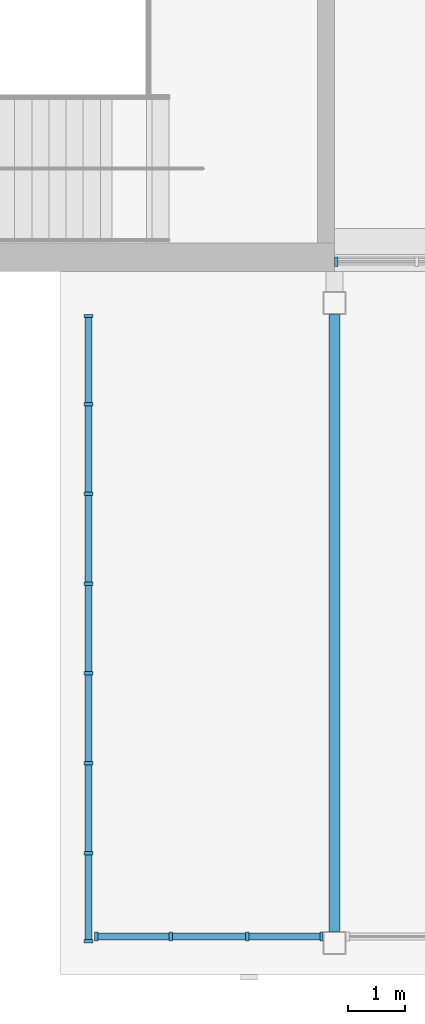
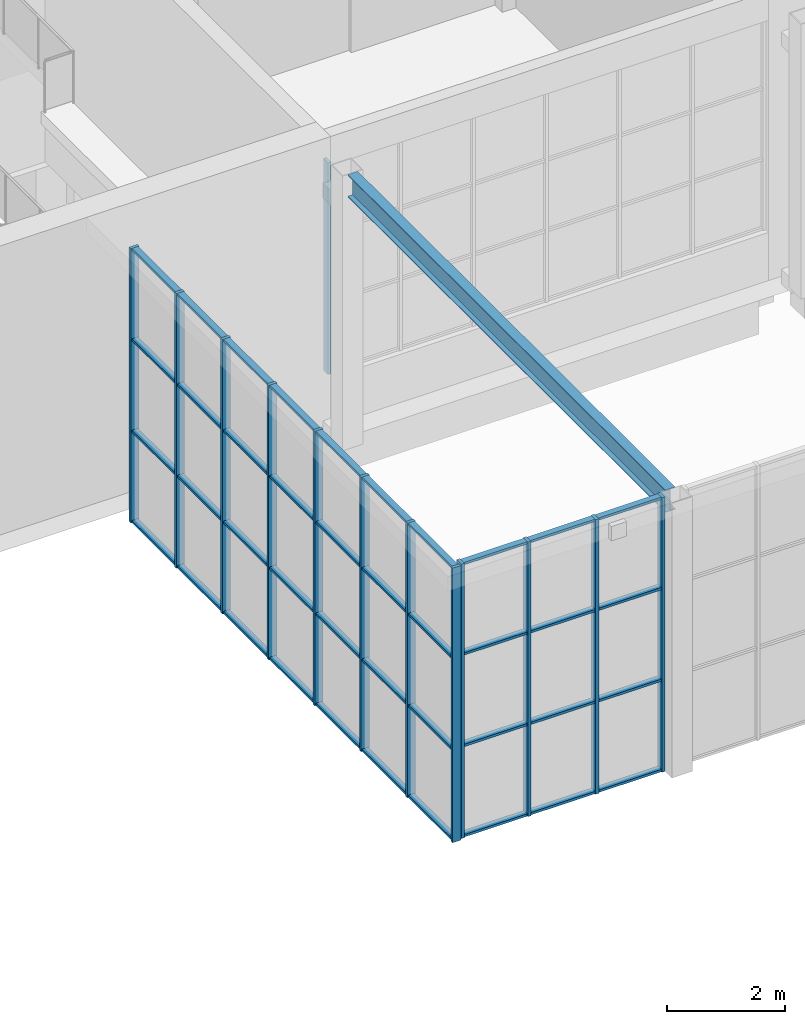
# One storey, part 7 of 89: 53 members, 1 beam, 3 elements without a shape of their own.
"""IFC4 building model written with IfcOpenShell, lengths in metres."""

from ifc_helpers import new_model, si_unit, direction, frame, origin, origin_2d, place, context, subcontext, project, spatial, rectangle, i_section, extrude, material, material_profile, profile_set, type_object, element, aggregate, save


model = new_model("IFC4")

# Units and contexts
model_context = context("Model", 3, precision=1e-05, world=origin(), true_north=direction((0.0, 1.0)))
body_context = subcontext(model_context, "Body", "Model", "MODEL_VIEW")
ifc_project = project(units=[si_unit("LENGTHUNIT", "METRE"), si_unit("AREAUNIT", "SQUARE_METRE"), si_unit("VOLUMEUNIT", "CUBIC_METRE"), si_unit("PLANEANGLEUNIT", "RADIAN"), si_unit("MASSUNIT", "GRAM", prefix="KILO")], contexts=[model_context])

# Site, building, storey
site_placement = place(None, origin())
site = spatial("IfcSite", under=ifc_project, at=site_placement, CompositionType="ELEMENT")
building_placement = place(site_placement, origin())
building = spatial("IfcBuilding", under=site, at=building_placement, Name="Silverbay Arena", CompositionType="ELEMENT")
storey_placement = place(building_placement, frame((0.0, 0.0, 22.0)))
storey = spatial("IfcBuildingStorey", under=building, at=storey_placement, Name="L03", CompositionType="ELEMENT", Elevation=22.0)

# Beam
ifc_material_1 = material(Name="Steel S355", Category="steel")
ifc_material_profile_1 = material_profile(ifc_material_1, i_section(OverallWidth=0.19287109375, OverallDepth=0.46728515625, WebThickness=0.011474609375, FlangeThickness=0.01953125, at=origin_2d()), Name="UB 457x191x98")
ifc_profile_set_1 = profile_set([ifc_material_profile_1], Name="Steel S355")
beam_type = type_object("IfcBeamType", Name="Hall beam UB 457x191x98", PredefinedType="BEAM", material=ifc_profile_set_1)
beam_placement = place(storey_placement, frame((117.0, 16.75, 5.46630859375), z_axis=(0.0, -1.0, 0.0), x_axis=(1.0, 0.0, 0.0)))
element("IfcBeam", 1, at=beam_placement, inside=storey, type_object=beam_type, Name="South entrance hall S1 transverse beam 1R", PredefinedType="BEAM", context=body_context, shape_type="SweptSolid", body=[
    extrude(i_section(OverallWidth=0.19287109375, OverallDepth=0.46728515625, WebThickness=0.011474609375, FlangeThickness=0.01953125, at=origin_2d()), origin(), (0.0, 0.0, 1.0), 10.800048828125),
])

# Curtain wall, member
ifc_material_2 = material(Name="Aluminium framed curtain wall", Category="aluminium")
curtain_wall_type_1 = type_object("IfcCurtainWallType", Name="Curtain wall 8600 x 4400", PredefinedType="NOTDEFINED", material=ifc_material_2)
curtain_wall_1_placement = place(storey_placement, origin())
curtain_wall_1 = element("IfcCurtainWall", 2, at=curtain_wall_1_placement, inside=storey, type_object=curtain_wall_type_1, Name="South curtain wall L03 bay 8", PredefinedType="NOTDEFINED")
ifc_material_3 = material(Name="Aluminium", Category="aluminium")
ifc_material_profile_2 = material_profile(ifc_material_3, rectangle(XDim=0.159912109375, YDim=0.06005859375, at=origin_2d()), Name="Mullion 60 x 160")
ifc_profile_set_2 = profile_set([ifc_material_profile_2], Name="Aluminium")
member_type_1 = type_object("IfcMemberType", Name="Mullion 60 x 160", PredefinedType="MULLION", material=ifc_profile_set_2)
member_1_placement = place(storey_placement, frame((117.030029296875, 17.669921875, 1.0), z_axis=(0.0, 0.0, 1.0), x_axis=(0.0, 1.0, 0.0)))
member_1 = element("IfcMember", 3, at=member_1_placement, type_object=member_type_1, Name="CW12 mullion 1", PredefinedType="MULLION", context=body_context, shape_type="SweptSolid", body=[
    extrude(rectangle(XDim=0.159912109375, YDim=0.06005859375, at=origin_2d()), origin(), (0.0, 0.0, 1.0), 4.39990234375),
])
aggregate(curtain_wall_1, [member_1])

# Curtain wall, members
ifc_material_4 = material(Name="Aluminium framed curtain wall", Category="aluminium")
curtain_wall_type_2 = type_object("IfcCurtainWallType", Name="Curtain wall 4000 x 5700", PredefinedType="NOTDEFINED", material=ifc_material_4)
curtain_wall_2_placement = place(storey_placement, origin())
curtain_wall_2 = element("IfcCurtainWall", 4, at=curtain_wall_2_placement, inside=storey, type_object=curtain_wall_type_2, Name="South entrance hall S1 glazing F-a", PredefinedType="NOTDEFINED")
member_2_placement = place(storey_placement, frame((112.830078125, 5.860107421875, 0.0), z_axis=(0.0, 0.0, 1.0), x_axis=(0.0, 1.0, 0.0)))
member_2 = element("IfcMember", 5, at=member_2_placement, type_object=member_type_1, Name="CW35 mullion 1", PredefinedType="MULLION", context=body_context, shape_type="SweptSolid", body=[
    extrude(rectangle(XDim=0.159912109375, YDim=0.06005859375, at=origin_2d()), origin(), (0.0, 0.0, 1.0), 5.699951171875),
])
member_3_placement = place(storey_placement, frame((114.13330078125, 5.860107421875, 0.0), z_axis=(0.0, 0.0, 1.0), x_axis=(0.0, 1.0, 0.0)))
member_3 = element("IfcMember", 6, at=member_3_placement, type_object=member_type_1, Name="CW35 mullion 2", PredefinedType="MULLION", context=body_context, shape_type="SweptSolid", body=[
    extrude(rectangle(XDim=0.159912109375, YDim=0.06005859375, at=origin_2d()), origin(), (0.0, 0.0, 1.0), 5.699951171875),
])
member_4_placement = place(storey_placement, frame((115.466552734375, 5.860107421875, 0.0), z_axis=(0.0, 0.0, 1.0), x_axis=(0.0, 1.0, 0.0)))
member_4 = element("IfcMember", 7, at=member_4_placement, type_object=member_type_1, Name="CW35 mullion 3", PredefinedType="MULLION", context=body_context, shape_type="SweptSolid", body=[
    extrude(rectangle(XDim=0.159912109375, YDim=0.06005859375, at=origin_2d()), origin(), (0.0, 0.0, 1.0), 5.699951171875),
])
member_5_placement = place(storey_placement, frame((116.77001953125, 5.860107421875, 0.0), z_axis=(0.0, 0.0, 1.0), x_axis=(0.0, 1.0, 0.0)))
member_5 = element("IfcMember", 8, at=member_5_placement, type_object=member_type_1, Name="CW35 mullion 4", PredefinedType="MULLION", context=body_context, shape_type="SweptSolid", body=[
    extrude(rectangle(XDim=0.159912109375, YDim=0.06005859375, at=origin_2d()), origin(), (0.0, 0.0, 1.0), 5.699951171875),
])

ifc_material_5 = material(Name="Aluminium framed curtain wall", Category="aluminium")
curtain_wall_type_3 = type_object("IfcCurtainWallType", Name="Curtain wall 11000 x 5700", PredefinedType="NOTDEFINED", material=ifc_material_5)
curtain_wall_3_placement = place(storey_placement, origin())
curtain_wall_3 = element("IfcCurtainWall", 9, at=curtain_wall_3_placement, inside=storey, type_object=curtain_wall_type_3, Name="South entrance hall S1 glazing SA", PredefinedType="NOTDEFINED")
member_6_placement = place(storey_placement, frame((112.68994140625, 5.780029296875, 0.0), z_axis=(0.0, 0.0, 1.0), x_axis=(-1.0, 0.0, 0.0)))
member_6 = element("IfcMember", 10, at=member_6_placement, type_object=member_type_1, Name="CW38 mullion 1", PredefinedType="MULLION", context=body_context, shape_type="SweptSolid", body=[
    extrude(rectangle(XDim=0.159912109375, YDim=0.06005859375, at=origin_2d()), origin(), (0.0, 0.0, 1.0), 5.699951171875),
])
member_7_placement = place(storey_placement, frame((112.68994140625, 7.321533203125, 0.0), z_axis=(0.0, 0.0, 1.0), x_axis=(-1.0, 0.0, 0.0)))
member_7 = element("IfcMember", 11, at=member_7_placement, type_object=member_type_1, Name="CW38 mullion 2", PredefinedType="MULLION", context=body_context, shape_type="SweptSolid", body=[
    extrude(rectangle(XDim=0.159912109375, YDim=0.06005859375, at=origin_2d()), origin(), (0.0, 0.0, 1.0), 5.699951171875),
])
member_8_placement = place(storey_placement, frame((112.68994140625, 8.892822265625, 0.0), z_axis=(0.0, 0.0, 1.0), x_axis=(-1.0, 0.0, 0.0)))
member_8 = element("IfcMember", 12, at=member_8_placement, type_object=member_type_1, Name="CW38 mullion 3", PredefinedType="MULLION", context=body_context, shape_type="SweptSolid", body=[
    extrude(rectangle(XDim=0.159912109375, YDim=0.06005859375, at=origin_2d()), origin(), (0.0, 0.0, 1.0), 5.699951171875),
])
member_9_placement = place(storey_placement, frame((112.68994140625, 10.46435546875, 0.0), z_axis=(0.0, 0.0, 1.0), x_axis=(-1.0, 0.0, 0.0)))
member_9 = element("IfcMember", 13, at=member_9_placement, type_object=member_type_1, Name="CW38 mullion 4", PredefinedType="MULLION", context=body_context, shape_type="SweptSolid", body=[
    extrude(rectangle(XDim=0.159912109375, YDim=0.06005859375, at=origin_2d()), origin(), (0.0, 0.0, 1.0), 5.699951171875),
])
member_10_placement = place(storey_placement, frame((112.68994140625, 12.03564453125, 0.0), z_axis=(0.0, 0.0, 1.0), x_axis=(-1.0, 0.0, 0.0)))
member_10 = element("IfcMember", 14, at=member_10_placement, type_object=member_type_1, Name="CW38 mullion 5", PredefinedType="MULLION", context=body_context, shape_type="SweptSolid", body=[
    extrude(rectangle(XDim=0.159912109375, YDim=0.06005859375, at=origin_2d()), origin(), (0.0, 0.0, 1.0), 5.699951171875),
])
member_11_placement = place(storey_placement, frame((112.68994140625, 13.607177734375, 0.0), z_axis=(0.0, 0.0, 1.0), x_axis=(-1.0, 0.0, 0.0)))
member_11 = element("IfcMember", 15, at=member_11_placement, type_object=member_type_1, Name="CW38 mullion 6", PredefinedType="MULLION", context=body_context, shape_type="SweptSolid", body=[
    extrude(rectangle(XDim=0.159912109375, YDim=0.06005859375, at=origin_2d()), origin(), (0.0, 0.0, 1.0), 5.699951171875),
])
member_12_placement = place(storey_placement, frame((112.68994140625, 15.178466796875, 0.0), z_axis=(0.0, 0.0, 1.0), x_axis=(-1.0, 0.0, 0.0)))
member_12 = element("IfcMember", 16, at=member_12_placement, type_object=member_type_1, Name="CW38 mullion 7", PredefinedType="MULLION", context=body_context, shape_type="SweptSolid", body=[
    extrude(rectangle(XDim=0.159912109375, YDim=0.06005859375, at=origin_2d()), origin(), (0.0, 0.0, 1.0), 5.699951171875),
])
member_13_placement = place(storey_placement, frame((112.68994140625, 16.719970703125, 0.0), z_axis=(0.0, 0.0, 1.0), x_axis=(-1.0, 0.0, 0.0)))
member_13 = element("IfcMember", 17, at=member_13_placement, type_object=member_type_1, Name="CW38 mullion 8", PredefinedType="MULLION", context=body_context, shape_type="SweptSolid", body=[
    extrude(rectangle(XDim=0.159912109375, YDim=0.06005859375, at=origin_2d()), origin(), (0.0, 0.0, 1.0), 5.699951171875),
])

# Member
ifc_material_6 = material(Name="Aluminium", Category="aluminium")
ifc_material_profile_3 = material_profile(ifc_material_6, rectangle(XDim=0.1201171875, YDim=0.050048828125, at=origin_2d()), Name="Transom 50 x 120")
ifc_profile_set_3 = profile_set([ifc_material_profile_3], Name="Aluminium")
member_type_2 = type_object("IfcMemberType", Name="Transom 50 x 120", PredefinedType="USERDEFINED", material=ifc_profile_set_3)
member_14_placement = place(storey_placement, frame((112.860107421875, 5.860107421875, 0.02490234375), z_axis=(1.0, 0.0, 0.0), x_axis=(0.0, 1.0, 0.0)))
member_14 = element("IfcMember", 18, at=member_14_placement, type_object=member_type_2, Name="CW35 transom 1.1", ObjectType="TRANSOM", PredefinedType="USERDEFINED", context=body_context, shape_type="SweptSolid", body=[
    extrude(rectangle(XDim=0.1201171875, YDim=0.050048828125, at=origin_2d()), origin(), (0.0, 0.0, 1.0), 1.2431640625),
])

member_15_placement = place(storey_placement, frame((112.860107421875, 5.860107421875, 1.89990234375), z_axis=(1.0, 0.0, 0.0), x_axis=(0.0, 1.0, 0.0)))
member_15 = element("IfcMember", 19, at=member_15_placement, type_object=member_type_2, Name="CW35 transom 1.2", ObjectType="TRANSOM", PredefinedType="USERDEFINED", context=body_context, shape_type="SweptSolid", body=[
    extrude(rectangle(XDim=0.1201171875, YDim=0.050048828125, at=origin_2d()), origin(), (0.0, 0.0, 1.0), 1.2431640625),
])

member_16_placement = place(storey_placement, frame((112.860107421875, 5.860107421875, 3.800048828125), z_axis=(1.0, 0.0, 0.0), x_axis=(0.0, 1.0, 0.0)))
member_16 = element("IfcMember", 20, at=member_16_placement, type_object=member_type_2, Name="CW35 transom 1.3", ObjectType="TRANSOM", PredefinedType="USERDEFINED", context=body_context, shape_type="SweptSolid", body=[
    extrude(rectangle(XDim=0.1201171875, YDim=0.050048828125, at=origin_2d()), origin(), (0.0, 0.0, 1.0), 1.2431640625),
])

member_17_placement = place(storey_placement, frame((112.860107421875, 5.860107421875, 5.675048828125), z_axis=(1.0, 0.0, 0.0), x_axis=(0.0, 1.0, 0.0)))
member_17 = element("IfcMember", 21, at=member_17_placement, type_object=member_type_2, Name="CW35 transom 1.4", ObjectType="TRANSOM", PredefinedType="USERDEFINED", context=body_context, shape_type="SweptSolid", body=[
    extrude(rectangle(XDim=0.1201171875, YDim=0.050048828125, at=origin_2d()), origin(), (0.0, 0.0, 1.0), 1.2431640625),
])

member_18_placement = place(storey_placement, frame((114.163330078125, 5.860107421875, 0.02490234375), z_axis=(1.0, 0.0, 0.0), x_axis=(0.0, 1.0, 0.0)))
member_18 = element("IfcMember", 22, at=member_18_placement, type_object=member_type_2, Name="CW35 transom 2.1", ObjectType="TRANSOM", PredefinedType="USERDEFINED", context=body_context, shape_type="SweptSolid", body=[
    extrude(rectangle(XDim=0.1201171875, YDim=0.050048828125, at=origin_2d()), origin(), (0.0, 0.0, 1.0), 1.2734375),
])

member_19_placement = place(storey_placement, frame((114.163330078125, 5.860107421875, 1.89990234375), z_axis=(1.0, 0.0, 0.0), x_axis=(0.0, 1.0, 0.0)))
member_19 = element("IfcMember", 23, at=member_19_placement, type_object=member_type_2, Name="CW35 transom 2.2", ObjectType="TRANSOM", PredefinedType="USERDEFINED", context=body_context, shape_type="SweptSolid", body=[
    extrude(rectangle(XDim=0.1201171875, YDim=0.050048828125, at=origin_2d()), origin(), (0.0, 0.0, 1.0), 1.2734375),
])

member_20_placement = place(storey_placement, frame((114.163330078125, 5.860107421875, 3.800048828125), z_axis=(1.0, 0.0, 0.0), x_axis=(0.0, 1.0, 0.0)))
member_20 = element("IfcMember", 24, at=member_20_placement, type_object=member_type_2, Name="CW35 transom 2.3", ObjectType="TRANSOM", PredefinedType="USERDEFINED", context=body_context, shape_type="SweptSolid", body=[
    extrude(rectangle(XDim=0.1201171875, YDim=0.050048828125, at=origin_2d()), origin(), (0.0, 0.0, 1.0), 1.2734375),
])

member_21_placement = place(storey_placement, frame((114.163330078125, 5.860107421875, 5.675048828125), z_axis=(1.0, 0.0, 0.0), x_axis=(0.0, 1.0, 0.0)))
member_21 = element("IfcMember", 25, at=member_21_placement, type_object=member_type_2, Name="CW35 transom 2.4", ObjectType="TRANSOM", PredefinedType="USERDEFINED", context=body_context, shape_type="SweptSolid", body=[
    extrude(rectangle(XDim=0.1201171875, YDim=0.050048828125, at=origin_2d()), origin(), (0.0, 0.0, 1.0), 1.2734375),
])

member_22_placement = place(storey_placement, frame((115.49658203125, 5.860107421875, 0.02490234375), z_axis=(1.0, 0.0, 0.0), x_axis=(0.0, 1.0, 0.0)))
member_22 = element("IfcMember", 26, at=member_22_placement, type_object=member_type_2, Name="CW35 transom 3.1", ObjectType="TRANSOM", PredefinedType="USERDEFINED", context=body_context, shape_type="SweptSolid", body=[
    extrude(rectangle(XDim=0.1201171875, YDim=0.050048828125, at=origin_2d()), origin(), (0.0, 0.0, 1.0), 1.243408203125),
])

member_23_placement = place(storey_placement, frame((115.49658203125, 5.860107421875, 1.89990234375), z_axis=(1.0, 0.0, 0.0), x_axis=(0.0, 1.0, 0.0)))
member_23 = element("IfcMember", 27, at=member_23_placement, type_object=member_type_2, Name="CW35 transom 3.2", ObjectType="TRANSOM", PredefinedType="USERDEFINED", context=body_context, shape_type="SweptSolid", body=[
    extrude(rectangle(XDim=0.1201171875, YDim=0.050048828125, at=origin_2d()), origin(), (0.0, 0.0, 1.0), 1.243408203125),
])

member_24_placement = place(storey_placement, frame((115.49658203125, 5.860107421875, 3.800048828125), z_axis=(1.0, 0.0, 0.0), x_axis=(0.0, 1.0, 0.0)))
member_24 = element("IfcMember", 28, at=member_24_placement, type_object=member_type_2, Name="CW35 transom 3.3", ObjectType="TRANSOM", PredefinedType="USERDEFINED", context=body_context, shape_type="SweptSolid", body=[
    extrude(rectangle(XDim=0.1201171875, YDim=0.050048828125, at=origin_2d()), origin(), (0.0, 0.0, 1.0), 1.243408203125),
])

member_25_placement = place(storey_placement, frame((115.49658203125, 5.860107421875, 5.675048828125), z_axis=(1.0, 0.0, 0.0), x_axis=(0.0, 1.0, 0.0)))
member_25 = element("IfcMember", 29, at=member_25_placement, type_object=member_type_2, Name="CW35 transom 3.4", ObjectType="TRANSOM", PredefinedType="USERDEFINED", context=body_context, shape_type="SweptSolid", body=[
    extrude(rectangle(XDim=0.1201171875, YDim=0.050048828125, at=origin_2d()), origin(), (0.0, 0.0, 1.0), 1.243408203125),
])

aggregate(curtain_wall_2, [member_2, member_3, member_4, member_5, member_14, member_15, member_16, member_17, member_18, member_19, member_20, member_21, member_22, member_23, member_24, member_25])

member_26_placement = place(storey_placement, frame((112.68994140625, 5.81005859375, 0.02490234375), z_axis=(0.0, 1.0, 0.0), x_axis=(-1.0, 0.0, 0.0)))
member_26 = element("IfcMember", 30, at=member_26_placement, type_object=member_type_2, Name="CW38 transom 1.1", ObjectType="TRANSOM", PredefinedType="USERDEFINED", context=body_context, shape_type="SweptSolid", body=[
    extrude(rectangle(XDim=0.1201171875, YDim=0.050048828125, at=origin_2d()), origin(), (0.0, 0.0, 1.0), 1.4814453125),
])

member_27_placement = place(storey_placement, frame((112.68994140625, 5.81005859375, 1.89990234375), z_axis=(0.0, 1.0, 0.0), x_axis=(-1.0, 0.0, 0.0)))
member_27 = element("IfcMember", 31, at=member_27_placement, type_object=member_type_2, Name="CW38 transom 1.2", ObjectType="TRANSOM", PredefinedType="USERDEFINED", context=body_context, shape_type="SweptSolid", body=[
    extrude(rectangle(XDim=0.1201171875, YDim=0.050048828125, at=origin_2d()), origin(), (0.0, 0.0, 1.0), 1.4814453125),
])

member_28_placement = place(storey_placement, frame((112.68994140625, 5.81005859375, 3.800048828125), z_axis=(0.0, 1.0, 0.0), x_axis=(-1.0, 0.0, 0.0)))
member_28 = element("IfcMember", 32, at=member_28_placement, type_object=member_type_2, Name="CW38 transom 1.3", ObjectType="TRANSOM", PredefinedType="USERDEFINED", context=body_context, shape_type="SweptSolid", body=[
    extrude(rectangle(XDim=0.1201171875, YDim=0.050048828125, at=origin_2d()), origin(), (0.0, 0.0, 1.0), 1.4814453125),
])

member_29_placement = place(storey_placement, frame((112.68994140625, 5.81005859375, 5.675048828125), z_axis=(0.0, 1.0, 0.0), x_axis=(-1.0, 0.0, 0.0)))
member_29 = element("IfcMember", 33, at=member_29_placement, type_object=member_type_2, Name="CW38 transom 1.4", ObjectType="TRANSOM", PredefinedType="USERDEFINED", context=body_context, shape_type="SweptSolid", body=[
    extrude(rectangle(XDim=0.1201171875, YDim=0.050048828125, at=origin_2d()), origin(), (0.0, 0.0, 1.0), 1.4814453125),
])

member_30_placement = place(storey_placement, frame((112.68994140625, 7.351318359375, 0.02490234375), z_axis=(0.0, 1.0, 0.0), x_axis=(-1.0, 0.0, 0.0)))
member_30 = element("IfcMember", 34, at=member_30_placement, type_object=member_type_2, Name="CW38 transom 2.1", ObjectType="TRANSOM", PredefinedType="USERDEFINED", context=body_context, shape_type="SweptSolid", body=[
    extrude(rectangle(XDim=0.1201171875, YDim=0.050048828125, at=origin_2d()), origin(), (0.0, 0.0, 1.0), 1.511474609375),
])

member_31_placement = place(storey_placement, frame((112.68994140625, 7.351318359375, 1.89990234375), z_axis=(0.0, 1.0, 0.0), x_axis=(-1.0, 0.0, 0.0)))
member_31 = element("IfcMember", 35, at=member_31_placement, type_object=member_type_2, Name="CW38 transom 2.2", ObjectType="TRANSOM", PredefinedType="USERDEFINED", context=body_context, shape_type="SweptSolid", body=[
    extrude(rectangle(XDim=0.1201171875, YDim=0.050048828125, at=origin_2d()), origin(), (0.0, 0.0, 1.0), 1.511474609375),
])

member_32_placement = place(storey_placement, frame((112.68994140625, 7.351318359375, 3.800048828125), z_axis=(0.0, 1.0, 0.0), x_axis=(-1.0, 0.0, 0.0)))
member_32 = element("IfcMember", 36, at=member_32_placement, type_object=member_type_2, Name="CW38 transom 2.3", ObjectType="TRANSOM", PredefinedType="USERDEFINED", context=body_context, shape_type="SweptSolid", body=[
    extrude(rectangle(XDim=0.1201171875, YDim=0.050048828125, at=origin_2d()), origin(), (0.0, 0.0, 1.0), 1.511474609375),
])

member_33_placement = place(storey_placement, frame((112.68994140625, 7.351318359375, 5.675048828125), z_axis=(0.0, 1.0, 0.0), x_axis=(-1.0, 0.0, 0.0)))
member_33 = element("IfcMember", 37, at=member_33_placement, type_object=member_type_2, Name="CW38 transom 2.4", ObjectType="TRANSOM", PredefinedType="USERDEFINED", context=body_context, shape_type="SweptSolid", body=[
    extrude(rectangle(XDim=0.1201171875, YDim=0.050048828125, at=origin_2d()), origin(), (0.0, 0.0, 1.0), 1.511474609375),
])

member_34_placement = place(storey_placement, frame((112.68994140625, 8.9228515625, 0.02490234375), z_axis=(0.0, 1.0, 0.0), x_axis=(-1.0, 0.0, 0.0)))
member_34 = element("IfcMember", 38, at=member_34_placement, type_object=member_type_2, Name="CW38 transom 3.1", ObjectType="TRANSOM", PredefinedType="USERDEFINED", context=body_context, shape_type="SweptSolid", body=[
    extrude(rectangle(XDim=0.1201171875, YDim=0.050048828125, at=origin_2d()), origin(), (0.0, 0.0, 1.0), 1.511474609375),
])

member_35_placement = place(storey_placement, frame((112.68994140625, 8.9228515625, 1.89990234375), z_axis=(0.0, 1.0, 0.0), x_axis=(-1.0, 0.0, 0.0)))
member_35 = element("IfcMember", 39, at=member_35_placement, type_object=member_type_2, Name="CW38 transom 3.2", ObjectType="TRANSOM", PredefinedType="USERDEFINED", context=body_context, shape_type="SweptSolid", body=[
    extrude(rectangle(XDim=0.1201171875, YDim=0.050048828125, at=origin_2d()), origin(), (0.0, 0.0, 1.0), 1.511474609375),
])

member_36_placement = place(storey_placement, frame((112.68994140625, 8.9228515625, 3.800048828125), z_axis=(0.0, 1.0, 0.0), x_axis=(-1.0, 0.0, 0.0)))
member_36 = element("IfcMember", 40, at=member_36_placement, type_object=member_type_2, Name="CW38 transom 3.3", ObjectType="TRANSOM", PredefinedType="USERDEFINED", context=body_context, shape_type="SweptSolid", body=[
    extrude(rectangle(XDim=0.1201171875, YDim=0.050048828125, at=origin_2d()), origin(), (0.0, 0.0, 1.0), 1.511474609375),
])

member_37_placement = place(storey_placement, frame((112.68994140625, 8.9228515625, 5.675048828125), z_axis=(0.0, 1.0, 0.0), x_axis=(-1.0, 0.0, 0.0)))
member_37 = element("IfcMember", 41, at=member_37_placement, type_object=member_type_2, Name="CW38 transom 3.4", ObjectType="TRANSOM", PredefinedType="USERDEFINED", context=body_context, shape_type="SweptSolid", body=[
    extrude(rectangle(XDim=0.1201171875, YDim=0.050048828125, at=origin_2d()), origin(), (0.0, 0.0, 1.0), 1.511474609375),
])

member_38_placement = place(storey_placement, frame((112.68994140625, 10.494384765625, 0.02490234375), z_axis=(0.0, 1.0, 0.0), x_axis=(-1.0, 0.0, 0.0)))
member_38 = element("IfcMember", 42, at=member_38_placement, type_object=member_type_2, Name="CW38 transom 4.1", ObjectType="TRANSOM", PredefinedType="USERDEFINED", context=body_context, shape_type="SweptSolid", body=[
    extrude(rectangle(XDim=0.1201171875, YDim=0.050048828125, at=origin_2d()), origin(), (0.0, 0.0, 1.0), 1.51123046875),
])

member_39_placement = place(storey_placement, frame((112.68994140625, 10.494384765625, 1.89990234375), z_axis=(0.0, 1.0, 0.0), x_axis=(-1.0, 0.0, 0.0)))
member_39 = element("IfcMember", 43, at=member_39_placement, type_object=member_type_2, Name="CW38 transom 4.2", ObjectType="TRANSOM", PredefinedType="USERDEFINED", context=body_context, shape_type="SweptSolid", body=[
    extrude(rectangle(XDim=0.1201171875, YDim=0.050048828125, at=origin_2d()), origin(), (0.0, 0.0, 1.0), 1.51123046875),
])

member_40_placement = place(storey_placement, frame((112.68994140625, 10.494384765625, 3.800048828125), z_axis=(0.0, 1.0, 0.0), x_axis=(-1.0, 0.0, 0.0)))
member_40 = element("IfcMember", 44, at=member_40_placement, type_object=member_type_2, Name="CW38 transom 4.3", ObjectType="TRANSOM", PredefinedType="USERDEFINED", context=body_context, shape_type="SweptSolid", body=[
    extrude(rectangle(XDim=0.1201171875, YDim=0.050048828125, at=origin_2d()), origin(), (0.0, 0.0, 1.0), 1.51123046875),
])

member_41_placement = place(storey_placement, frame((112.68994140625, 10.494384765625, 5.675048828125), z_axis=(0.0, 1.0, 0.0), x_axis=(-1.0, 0.0, 0.0)))
member_41 = element("IfcMember", 45, at=member_41_placement, type_object=member_type_2, Name="CW38 transom 4.4", ObjectType="TRANSOM", PredefinedType="USERDEFINED", context=body_context, shape_type="SweptSolid", body=[
    extrude(rectangle(XDim=0.1201171875, YDim=0.050048828125, at=origin_2d()), origin(), (0.0, 0.0, 1.0), 1.51123046875),
])

member_42_placement = place(storey_placement, frame((112.68994140625, 12.065673828125, 0.02490234375), z_axis=(0.0, 1.0, 0.0), x_axis=(-1.0, 0.0, 0.0)))
member_42 = element("IfcMember", 46, at=member_42_placement, type_object=member_type_2, Name="CW38 transom 5.1", ObjectType="TRANSOM", PredefinedType="USERDEFINED", context=body_context, shape_type="SweptSolid", body=[
    extrude(rectangle(XDim=0.1201171875, YDim=0.050048828125, at=origin_2d()), origin(), (0.0, 0.0, 1.0), 1.511474609375),
])

member_43_placement = place(storey_placement, frame((112.68994140625, 12.065673828125, 1.89990234375), z_axis=(0.0, 1.0, 0.0), x_axis=(-1.0, 0.0, 0.0)))
member_43 = element("IfcMember", 47, at=member_43_placement, type_object=member_type_2, Name="CW38 transom 5.2", ObjectType="TRANSOM", PredefinedType="USERDEFINED", context=body_context, shape_type="SweptSolid", body=[
    extrude(rectangle(XDim=0.1201171875, YDim=0.050048828125, at=origin_2d()), origin(), (0.0, 0.0, 1.0), 1.511474609375),
])

member_44_placement = place(storey_placement, frame((112.68994140625, 12.065673828125, 3.800048828125), z_axis=(0.0, 1.0, 0.0), x_axis=(-1.0, 0.0, 0.0)))
member_44 = element("IfcMember", 48, at=member_44_placement, type_object=member_type_2, Name="CW38 transom 5.3", ObjectType="TRANSOM", PredefinedType="USERDEFINED", context=body_context, shape_type="SweptSolid", body=[
    extrude(rectangle(XDim=0.1201171875, YDim=0.050048828125, at=origin_2d()), origin(), (0.0, 0.0, 1.0), 1.511474609375),
])

member_45_placement = place(storey_placement, frame((112.68994140625, 12.065673828125, 5.675048828125), z_axis=(0.0, 1.0, 0.0), x_axis=(-1.0, 0.0, 0.0)))
member_45 = element("IfcMember", 49, at=member_45_placement, type_object=member_type_2, Name="CW38 transom 5.4", ObjectType="TRANSOM", PredefinedType="USERDEFINED", context=body_context, shape_type="SweptSolid", body=[
    extrude(rectangle(XDim=0.1201171875, YDim=0.050048828125, at=origin_2d()), origin(), (0.0, 0.0, 1.0), 1.511474609375),
])

member_46_placement = place(storey_placement, frame((112.68994140625, 13.63720703125, 0.02490234375), z_axis=(0.0, 1.0, 0.0), x_axis=(-1.0, 0.0, 0.0)))
member_46 = element("IfcMember", 50, at=member_46_placement, type_object=member_type_2, Name="CW38 transom 6.1", ObjectType="TRANSOM", PredefinedType="USERDEFINED", context=body_context, shape_type="SweptSolid", body=[
    extrude(rectangle(XDim=0.1201171875, YDim=0.050048828125, at=origin_2d()), origin(), (0.0, 0.0, 1.0), 1.511474609375),
])

member_47_placement = place(storey_placement, frame((112.68994140625, 13.63720703125, 1.89990234375), z_axis=(0.0, 1.0, 0.0), x_axis=(-1.0, 0.0, 0.0)))
member_47 = element("IfcMember", 51, at=member_47_placement, type_object=member_type_2, Name="CW38 transom 6.2", ObjectType="TRANSOM", PredefinedType="USERDEFINED", context=body_context, shape_type="SweptSolid", body=[
    extrude(rectangle(XDim=0.1201171875, YDim=0.050048828125, at=origin_2d()), origin(), (0.0, 0.0, 1.0), 1.511474609375),
])

member_48_placement = place(storey_placement, frame((112.68994140625, 13.63720703125, 3.800048828125), z_axis=(0.0, 1.0, 0.0), x_axis=(-1.0, 0.0, 0.0)))
member_48 = element("IfcMember", 52, at=member_48_placement, type_object=member_type_2, Name="CW38 transom 6.3", ObjectType="TRANSOM", PredefinedType="USERDEFINED", context=body_context, shape_type="SweptSolid", body=[
    extrude(rectangle(XDim=0.1201171875, YDim=0.050048828125, at=origin_2d()), origin(), (0.0, 0.0, 1.0), 1.511474609375),
])

member_49_placement = place(storey_placement, frame((112.68994140625, 13.63720703125, 5.675048828125), z_axis=(0.0, 1.0, 0.0), x_axis=(-1.0, 0.0, 0.0)))
member_49 = element("IfcMember", 53, at=member_49_placement, type_object=member_type_2, Name="CW38 transom 6.4", ObjectType="TRANSOM", PredefinedType="USERDEFINED", context=body_context, shape_type="SweptSolid", body=[
    extrude(rectangle(XDim=0.1201171875, YDim=0.050048828125, at=origin_2d()), origin(), (0.0, 0.0, 1.0), 1.511474609375),
])

member_50_placement = place(storey_placement, frame((112.68994140625, 15.20849609375, 0.02490234375), z_axis=(0.0, 1.0, 0.0), x_axis=(-1.0, 0.0, 0.0)))
member_50 = element("IfcMember", 54, at=member_50_placement, type_object=member_type_2, Name="CW38 transom 7.1", ObjectType="TRANSOM", PredefinedType="USERDEFINED", context=body_context, shape_type="SweptSolid", body=[
    extrude(rectangle(XDim=0.1201171875, YDim=0.050048828125, at=origin_2d()), origin(), (0.0, 0.0, 1.0), 1.4814453125),
])

member_51_placement = place(storey_placement, frame((112.68994140625, 15.20849609375, 1.89990234375), z_axis=(0.0, 1.0, 0.0), x_axis=(-1.0, 0.0, 0.0)))
member_51 = element("IfcMember", 55, at=member_51_placement, type_object=member_type_2, Name="CW38 transom 7.2", ObjectType="TRANSOM", PredefinedType="USERDEFINED", context=body_context, shape_type="SweptSolid", body=[
    extrude(rectangle(XDim=0.1201171875, YDim=0.050048828125, at=origin_2d()), origin(), (0.0, 0.0, 1.0), 1.4814453125),
])

member_52_placement = place(storey_placement, frame((112.68994140625, 15.20849609375, 3.800048828125), z_axis=(0.0, 1.0, 0.0), x_axis=(-1.0, 0.0, 0.0)))
member_52 = element("IfcMember", 56, at=member_52_placement, type_object=member_type_2, Name="CW38 transom 7.3", ObjectType="TRANSOM", PredefinedType="USERDEFINED", context=body_context, shape_type="SweptSolid", body=[
    extrude(rectangle(XDim=0.1201171875, YDim=0.050048828125, at=origin_2d()), origin(), (0.0, 0.0, 1.0), 1.4814453125),
])

member_53_placement = place(storey_placement, frame((112.68994140625, 15.20849609375, 5.675048828125), z_axis=(0.0, 1.0, 0.0), x_axis=(-1.0, 0.0, 0.0)))
member_53 = element("IfcMember", 57, at=member_53_placement, type_object=member_type_2, Name="CW38 transom 7.4", ObjectType="TRANSOM", PredefinedType="USERDEFINED", context=body_context, shape_type="SweptSolid", body=[
    extrude(rectangle(XDim=0.1201171875, YDim=0.050048828125, at=origin_2d()), origin(), (0.0, 0.0, 1.0), 1.4814453125),
])

aggregate(curtain_wall_3, [member_6, member_7, member_8, member_9, member_10, member_11, member_12, member_13, member_26, member_27, member_28, member_29, member_30, member_31, member_32, member_33, member_34, member_35, member_36, member_37, member_38, member_39, member_40, member_41, member_42, member_43, member_44, member_45, member_46, member_47, member_48, member_49, member_50, member_51, member_52, member_53])

save(model, "model.ifc")
